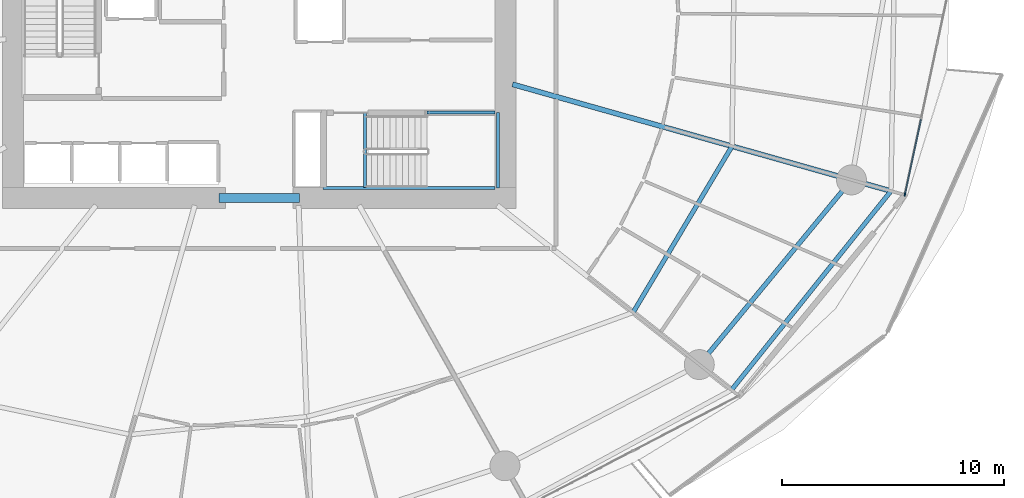
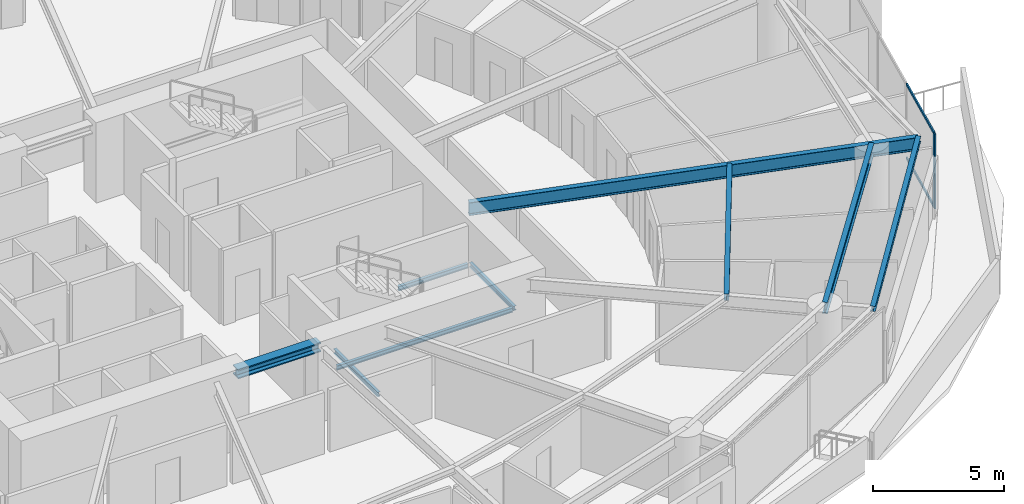
# One storey, part 10 of 31: 9 beams, 3 members, 1 element without a shape of its own.
"""IFC4 building model written with IfcOpenShell, lengths in metres."""

from ifc_helpers import new_model, si_unit, direction, frame, origin, origin_2d, place, context, subcontext, project, spatial, rectangle, i_section, extrude, material, layer, layer_set, material_profile, profile_set, type_object, element, aggregate, save


model = new_model("IFC4")

# Units and contexts
model_context = context("Model", 3, precision=1e-05, world=origin(), true_north=direction((0.0, 1.0)))
body_context = subcontext(model_context, "Body", "Model", "MODEL_VIEW")
ifc_project = project(units=[si_unit("LENGTHUNIT", "METRE"), si_unit("AREAUNIT", "SQUARE_METRE"), si_unit("VOLUMEUNIT", "CUBIC_METRE"), si_unit("PLANEANGLEUNIT", "RADIAN"), si_unit("MASSUNIT", "GRAM", prefix="KILO")], contexts=[model_context])

# Site, building, storey
site_placement = place(None, origin())
site = spatial("IfcSite", under=ifc_project, at=site_placement, CompositionType="ELEMENT")
building_placement = place(site_placement, origin())
building = spatial("IfcBuilding", under=site, at=building_placement, Name="Kazma Halo Residences", CompositionType="ELEMENT")
storey_placement = place(building_placement, frame((0.0, 0.0, 60.14990234375)))
storey = spatial("IfcBuildingStorey", under=building, at=storey_placement, Name="L14", CompositionType="ELEMENT", Elevation=60.14990234375)

# Beams
ifc_material_1 = material(Name="Steel S355", Category="steel")
ifc_material_profile_1 = material_profile(ifc_material_1, i_section(OverallWidth=0.201904296875, OverallDepth=0.2470703125, WebThickness=0.00732421875, FlangeThickness=0.010986328125, FilletRadius=0.011962890625, at=origin_2d()), Name="W250x49.1")
ifc_profile_set_1 = profile_set([ifc_material_profile_1], Name="Steel S355")
beam_type_1 = type_object("IfcBeamType", Name="BM-BAL-CANT", PredefinedType="BEAM", material=ifc_profile_set_1)
beam_1_placement = place(storey_placement, frame((69.728515625, 24.87060546875, 3.376708984375), z_axis=(0.625476617708, 0.780242911343, 0.0), x_axis=(-0.780242911343, 0.625476617708, 0.0)))
element("IfcBeam", 1, at=beam_1_placement, inside=storey, type_object=beam_type_1, Name="L14 wave-balcony tie beam 14", PredefinedType="BEAM", context=body_context, shape_type="SweptSolid", body=[
    extrude(i_section(OverallWidth=0.201904296875, OverallDepth=0.2470703125, WebThickness=0.00732421875, FlangeThickness=0.010986328125, FilletRadius=0.011962890625, at=origin_2d()), origin(), (0.0, 0.0, 1.0), 11.499755859375),
])
ifc_material_profile_2 = material_profile(ifc_material_1, i_section(OverallWidth=0.408935546875, OverallDepth=0.425048828125, WebThickness=0.03271484375, FlangeThickness=0.052490234375, FilletRadius=0.02001953125, at=origin_2d()), Name="W360x421")
ifc_profile_set_2 = profile_set([ifc_material_profile_2], Name="Steel S355")
beam_type_2 = type_object("IfcBeamType", Name="BM-CORE-W360H", PredefinedType="BEAM", material=ifc_profile_set_2)
beam_2_placement = place(storey_placement, frame((46.60009765625, 33.52490234375, 3.28759765625), z_axis=(1.0, 0.0, 0.0), x_axis=(0.0, 1.0, 0.0)))
element("IfcBeam", 2, at=beam_2_placement, inside=storey, type_object=beam_type_2, Name="L14 core coupling beam S", PredefinedType="BEAM", context=body_context, shape_type="SweptSolid", body=[
    extrude(i_section(OverallWidth=0.408935546875, OverallDepth=0.425048828125, WebThickness=0.03271484375, FlangeThickness=0.052490234375, FilletRadius=0.02001953125, at=origin_2d()), origin(), (0.0, 0.0, 1.0), 3.64990234375),
])
ifc_material_profile_3 = material_profile(ifc_material_1, i_section(OverallWidth=0.22802734375, OverallDepth=0.60791015625, WebThickness=0.01123046875, FlangeThickness=0.017333984375, FilletRadius=0.01806640625, at=origin_2d()), Name="W610x113")
ifc_profile_set_3 = profile_set([ifc_material_profile_3], Name="Steel S355")
beam_type_3 = type_object("IfcBeamType", Name="BM-RAD-W610", PredefinedType="BEAM", material=ifc_profile_set_3)
beam_3_placement = place(storey_placement, frame((59.85009765625, 38.657958984375, 3.196044921875), z_axis=(0.962453825278, -0.271445453468, 0.0), x_axis=(0.271445453468, 0.962453825278, 0.0)))
element("IfcBeam", 3, at=beam_3_placement, inside=storey, type_object=beam_type_3, Name="L14 radial floor beam 15", PredefinedType="BEAM", context=body_context, shape_type="SweptSolid", body=[
    extrude(i_section(OverallWidth=0.22802734375, OverallDepth=0.60791015625, WebThickness=0.01123046875, FlangeThickness=0.017333984375, FilletRadius=0.01806640625, at=origin_2d()), origin(), (0.0, 0.0, 1.0), 17.7373046875),
])
ifc_material_profile_4 = material_profile(ifc_material_1, i_section(OverallWidth=0.202880859375, OverallDepth=0.302978515625, WebThickness=0.007568359375, FlangeThickness=0.01318359375, FilletRadius=0.013916015625, at=origin_2d()), Name="W310x60")
ifc_profile_set_4 = profile_set([ifc_material_profile_4], Name="Steel S355")
beam_type_4 = type_object("IfcBeamType", Name="BM-SEC-W310A", PredefinedType="JOIST", material=ifc_profile_set_4)
beam_4_placement = place(storey_placement, frame((65.291015625, 28.368896484375, 3.3486328125), z_axis=(0.511331320511, 0.859383663252, 0.0), x_axis=(-0.859383663252, 0.511331320511, 0.0)))
element("IfcBeam", 4, at=beam_4_placement, inside=storey, type_object=beam_type_4, Name="L14 circumferential floor joist 14", PredefinedType="JOIST", context=body_context, shape_type="SweptSolid", body=[
    extrude(i_section(OverallWidth=0.202880859375, OverallDepth=0.302978515625, WebThickness=0.007568359375, FlangeThickness=0.01318359375, FilletRadius=0.013916015625, at=origin_2d()), origin(), (0.0, 0.0, 1.0), 8.72314453125),
])
ifc_material_profile_5 = material_profile(ifc_material_1, i_section(OverallWidth=0.208984375, OverallDepth=0.532958984375, WebThickness=0.01025390625, FlangeThickness=0.015625, FilletRadius=0.01611328125, at=origin_2d()), Name="W530x92")
ifc_profile_set_5 = profile_set([ifc_material_profile_5], Name="Steel S355")
beam_type_5 = type_object("IfcBeamType", Name="BM-SPN-W530", PredefinedType="BEAM", material=ifc_profile_set_5)
beam_5_placement = place(storey_placement, frame((68.27587890625, 26.015869140625, 3.233642578125), z_axis=(0.636001336663, 0.771687954916, 0.0), x_axis=(-0.771687954916, 0.636001336663, 0.0)))
element("IfcBeam", 5, at=beam_5_placement, inside=storey, type_object=beam_type_5, Name="L14 perimeter ring beam 14", PredefinedType="BEAM", context=body_context, shape_type="SweptSolid", body=[
    extrude(i_section(OverallWidth=0.208984375, OverallDepth=0.532958984375, WebThickness=0.01025390625, FlangeThickness=0.015625, FilletRadius=0.01611328125, at=origin_2d()), origin(), (0.0, 0.0, 1.0), 10.7939453125),
])
ifc_material_profile_6 = material_profile(ifc_material_1, i_section(OverallWidth=0.133056640625, OverallDepth=0.20703125, WebThickness=0.005859375, FlangeThickness=0.00830078125, FilletRadius=0.010009765625, at=origin_2d()), Name="W200x26.6")
ifc_profile_set_6 = profile_set([ifc_material_profile_6], Name="Steel S355")
beam_type_6 = type_object("IfcBeamType", Name="BM-TRIM-W200", PredefinedType="BEAM", material=ifc_profile_set_6)
beam_6_placement = place(storey_placement, frame((53.199951171875, 34.0, -0.35986328125), z_axis=(0.0, 1.0, 0.0), x_axis=(-1.0, 0.0, 0.0)))
element("IfcBeam", 6, at=beam_6_placement, inside=storey, type_object=beam_type_6, Name="L14 ST-03 floor landing support beam", PredefinedType="BEAM", context=body_context, shape_type="SweptSolid", body=[
    extrude(i_section(OverallWidth=0.133056640625, OverallDepth=0.20703125, WebThickness=0.005859375, FlangeThickness=0.00830078125, FilletRadius=0.010009765625, at=origin_2d()), origin(), (0.0, 0.0, 1.0), 3.3798828125),
])
beam_7_placement = place(storey_placement, frame((51.31005859375, 33.97998046875, 1.570068359375), z_axis=(1.0, 0.0, 0.0), x_axis=(0.0, 1.0, 0.0)))
element("IfcBeam", 7, at=beam_7_placement, inside=storey, type_object=beam_type_6, Name="L14 ST-03 landing south wall ledger", PredefinedType="BEAM", context=body_context, shape_type="SweptSolid", body=[
    extrude(i_section(OverallWidth=0.133056640625, OverallDepth=0.20703125, WebThickness=0.005859375, FlangeThickness=0.00830078125, FilletRadius=0.010009765625, at=origin_2d()), origin(), (0.0, 0.0, 1.0), 7.760009765625),
])
beam_8_placement = place(storey_placement, frame((56.0, 37.3798828125, 1.570068359375), z_axis=(1.0, 0.0, 0.0), x_axis=(0.0, 1.0, 0.0)))
element("IfcBeam", 8, at=beam_8_placement, inside=storey, type_object=beam_type_6, Name="L14 ST-03 landing north wall ledger", PredefinedType="BEAM", context=body_context, shape_type="SweptSolid", body=[
    extrude(i_section(OverallWidth=0.133056640625, OverallDepth=0.20703125, WebThickness=0.005859375, FlangeThickness=0.00830078125, FilletRadius=0.010009765625, at=origin_2d()), origin(), (0.0, 0.0, 1.0), 3.070068359375),
])
beam_9_placement = place(storey_placement, frame((59.18994140625, 33.97998046875, 1.570068359375), z_axis=(0.0, 1.0, 0.0), x_axis=(-1.0, 0.0, 0.0)))
element("IfcBeam", 9, at=beam_9_placement, inside=storey, type_object=beam_type_6, Name="L14 ST-03 landing end wall ledger", PredefinedType="BEAM", context=body_context, shape_type="SweptSolid", body=[
    extrude(i_section(OverallWidth=0.133056640625, OverallDepth=0.20703125, WebThickness=0.005859375, FlangeThickness=0.00830078125, FilletRadius=0.010009765625, at=origin_2d()), origin(), (0.0, 0.0, 1.0), 3.39990234375),
])

# Curtain wall, members
ifc_material_2 = material(Name="Aluminium AW-6063 T6 and Triple-Silver Low-E Glass", Category="aluminium")
ifc_layer = layer(ifc_material_2, 0.159912109375)
ifc_layer_set = layer_set([ifc_layer], Name="Aluminium AW-6063 T6 and Triple-Silver Low-E Glass")
curtain_wall_type = type_object("IfcCurtainWallType", Name="CW-SYS-2", PredefinedType="NOTDEFINED", material=ifc_layer_set)
curtain_wall_placement = place(storey_placement, origin())
curtain_wall = element("IfcCurtainWall", 10, at=curtain_wall_placement, inside=storey, type_object=curtain_wall_type, Name="L14 unitised curtain wall B15", PredefinedType="NOTDEFINED")
ifc_material_3 = material(Name="Aluminium AW-6063 T6", Category="aluminium")
ifc_material_profile_7 = material_profile(ifc_material_3, rectangle(XDim=0.06005859375, YDim=0.159912109375, at=origin_2d()), Name="CWM-60x160")
ifc_profile_set_7 = profile_set([ifc_material_profile_7], Name="Aluminium AW-6063 T6")
member_type_1 = type_object("IfcMemberType", Name="CW-SYS-2-MUL", PredefinedType="MULLION", material=ifc_profile_set_7)
member_1_placement = place(storey_placement, frame((77.552978515625, 33.6962890625, 0.0), z_axis=(0.0, 0.0, 1.0), x_axis=(-0.977779215096, 0.209637321406, 0.0)))
member_1 = element("IfcMember", 11, at=member_1_placement, type_object=member_type_1, Name="CWS-2 mullion 1", PredefinedType="MULLION", context=body_context, shape_type="SweptSolid", body=[
    extrude(rectangle(XDim=0.06005859375, YDim=0.159912109375, at=origin_2d()), origin(), (0.0, 0.0, 1.0), 3.5),
])
ifc_material_profile_8 = material_profile(ifc_material_3, rectangle(XDim=0.06005859375, YDim=0.1201171875, at=origin_2d()), Name="CWT-60x120")
ifc_profile_set_8 = profile_set([ifc_material_profile_8], Name="Aluminium AW-6063 T6")
member_type_2 = type_object("IfcMemberType", Name="CW-SYS-2-TRN", PredefinedType="USERDEFINED", material=ifc_profile_set_8)
member_2_placement = place(storey_placement, frame((77.559326171875, 33.7255859375, 0.030029296875), z_axis=(0.209650877007, 0.977776308657, 0.0), x_axis=(-0.977776308657, 0.209650877007, 0.0)))
member_2 = element("IfcMember", 12, at=member_2_placement, type_object=member_type_2, Name="CWS-2 transom 1.1", ObjectType="TRANSOM", PredefinedType="USERDEFINED", context=body_context, shape_type="SweptSolid", body=[
    extrude(rectangle(XDim=0.06005859375, YDim=0.1201171875, at=origin_2d()), origin(), (0.0, 0.0, 1.0), 3.422607421875),
])
member_3_placement = place(storey_placement, frame((77.559326171875, 33.7255859375, 3.47021484375), z_axis=(0.209650877007, 0.977776308657, 0.0), x_axis=(-0.977776308657, 0.209650877007, 0.0)))
member_3 = element("IfcMember", 13, at=member_3_placement, type_object=member_type_2, Name="CWS-2 transom 1.2", ObjectType="TRANSOM", PredefinedType="USERDEFINED", context=body_context, shape_type="SweptSolid", body=[
    extrude(rectangle(XDim=0.06005859375, YDim=0.1201171875, at=origin_2d()), origin(), (0.0, 0.0, 1.0), 3.422607421875),
])
aggregate(curtain_wall, [member_1, member_2, member_3])

save(model, "model.ifc")
